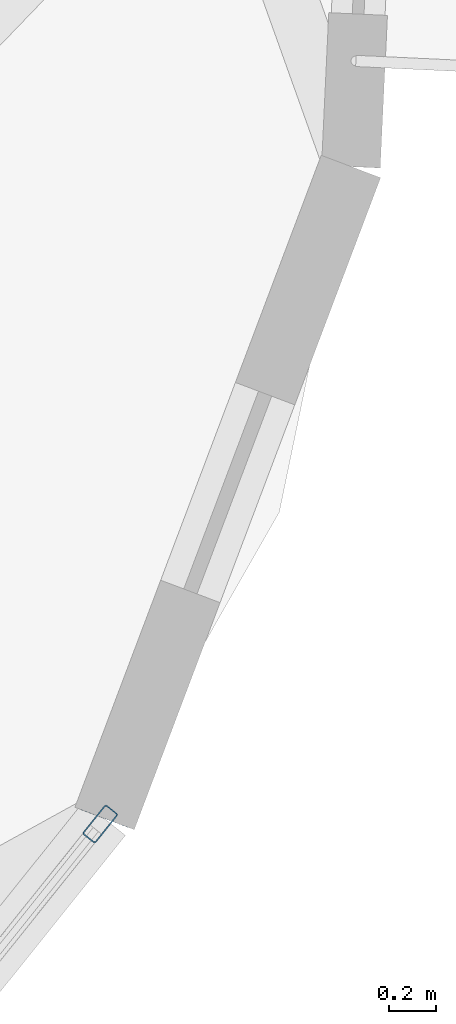
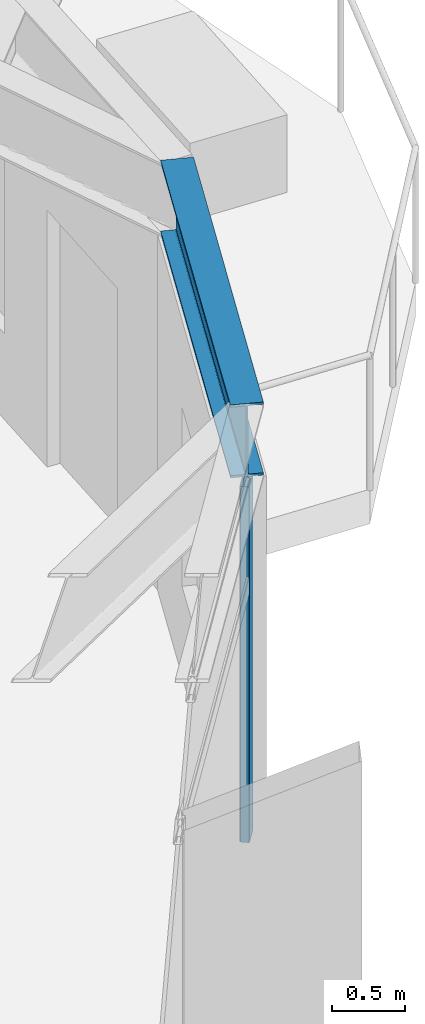
# One storey, part 10 of 25: 1 beam, 1 member, 1 element without a shape of its own.
"""IFC4 building model written with IfcOpenShell, lengths in metres."""

from ifc_helpers import new_model, si_unit, direction, frame, origin, origin_2d, place, context, subcontext, project, spatial, hollow_rectangle, i_section, extrude, material, layer, layer_set, material_profile, profile_set, type_object, element, aggregate, save


model = new_model("IFC4")

# Units and contexts
model_context = context("Model", 3, precision=1e-05, world=origin(), true_north=direction((0.0, 1.0)))
body_context = subcontext(model_context, "Body", "Model", "MODEL_VIEW")
ifc_project = project(units=[si_unit("LENGTHUNIT", "METRE"), si_unit("AREAUNIT", "SQUARE_METRE"), si_unit("VOLUMEUNIT", "CUBIC_METRE"), si_unit("PLANEANGLEUNIT", "RADIAN"), si_unit("MASSUNIT", "GRAM", prefix="KILO")], contexts=[model_context])

# Site, building, storey
site_placement = place(None, origin())
site = spatial("IfcSite", under=ifc_project, at=site_placement, CompositionType="ELEMENT")
building_placement = place(site_placement, origin())
building = spatial("IfcBuilding", under=site, at=building_placement, Name="Soratama Intermodal Tower", CompositionType="ELEMENT")
storey_placement = place(building_placement, frame((0.0, 0.0, 87.39990234375)))
storey = spatial("IfcBuildingStorey", under=building, at=storey_placement, Name="L20", CompositionType="ELEMENT", Elevation=87.39990234375)

# Beam
ifc_material_1 = material(Name="Structural steel ASTM A992 Grade 50", Category="steel")
ifc_material_profile_1 = material_profile(ifc_material_1, i_section(OverallWidth=0.22900390625, OverallDepth=0.612060546875, WebThickness=0.011962890625, FlangeThickness=0.01953125, FilletRadius=0.012939453125, at=origin_2d()), Name="W24X84")
ifc_profile_set_1 = profile_set([ifc_material_profile_1], Name="Structural steel ASTM A992 Grade 50")
beam_type = type_object("IfcBeamType", Name="BM-SPN-W24X84", PredefinedType="SPANDREL", material=ifc_profile_set_1)
beam_placement = place(storey_placement, frame((62.56396484375, 16.777099609375, 3.294189453125), z_axis=(0.353629417265, 0.935385607781, 0.0), x_axis=(-0.935385607781, 0.353629417265, 0.0)))
element("IfcBeam", 1, at=beam_placement, inside=storey, type_object=beam_type, Name="BS-L20-CRN09", PredefinedType="SPANDREL", context=body_context, shape_type="SweptSolid", body=[
    extrude(i_section(OverallWidth=0.22900390625, OverallDepth=0.612060546875, WebThickness=0.011962890625, FlangeThickness=0.01953125, FilletRadius=0.012939453125, at=origin_2d()), origin(), (0.0, 0.0, 1.0), 2.966552734375),
])

# Curtain wall, member
ifc_material_2 = material(Name="Double-glazed aluminium curtain wall", Category="aluminium")
ifc_layer = layer(ifc_material_2, 0.159912109375)
ifc_layer_set = layer_set([ifc_layer], Name="Double-glazed aluminium curtain wall")
curtain_wall_type = type_object("IfcCurtainWallType", Name="CW-SYS-3", PredefinedType="NOTDEFINED", material=ifc_layer_set)
curtain_wall_placement = place(storey_placement, origin())
curtain_wall = element("IfcCurtainWall", 2, at=curtain_wall_placement, inside=storey, type_object=curtain_wall_type, Name="L20 Faceted Curtain Wall F09", PredefinedType="NOTDEFINED")
ifc_material_3 = material(Name="Anodised aluminium AA 6063-T6", Category="aluminium")
ifc_material_profile_2 = material_profile(ifc_material_3, hollow_rectangle(XDim=0.070068359375, YDim=0.159912109375, WallThickness=0.0048828125, InnerFilletRadius=0.0048828125, OuterFilletRadius=0.010009765625, at=origin_2d()), Name="CWM160X70X5")
ifc_profile_set_2 = profile_set([ifc_material_profile_2], Name="Anodised aluminium AA 6063-T6")
member_type = type_object("IfcMemberType", Name="MT-CWM-3", PredefinedType="MULLION", material=ifc_profile_set_2)
member_placement = place(storey_placement, frame((62.545654296875, 16.75390625, 0.0), z_axis=(0.0, 0.0, 1.0), x_axis=(-0.780431543802, 0.625241237795, 0.0)))
member = element("IfcMember", 3, at=member_placement, type_object=member_type, Name="CW-3 mullion 3", PredefinedType="MULLION", context=body_context, shape_type="SweptSolid", body=[
    extrude(hollow_rectangle(XDim=0.070068359375, YDim=0.159912109375, WallThickness=0.0048828125, InnerFilletRadius=0.0048828125, OuterFilletRadius=0.010009765625, at=origin_2d()), origin(), (0.0, 0.0, 1.0), 2.97900390625),
])
aggregate(curtain_wall, [member])

save(model, "model.ifc")
